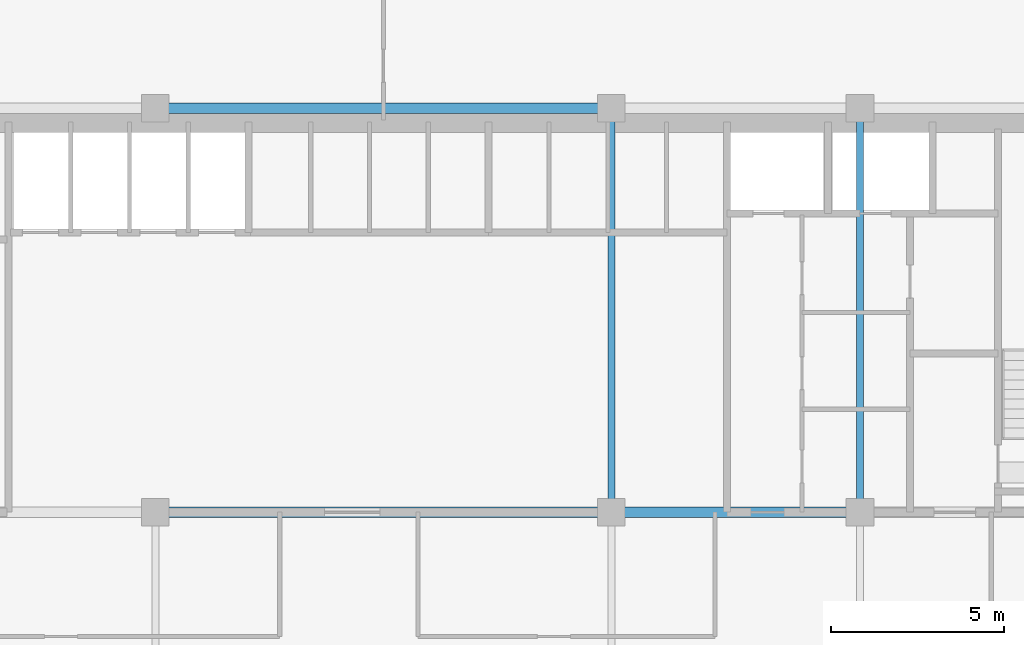
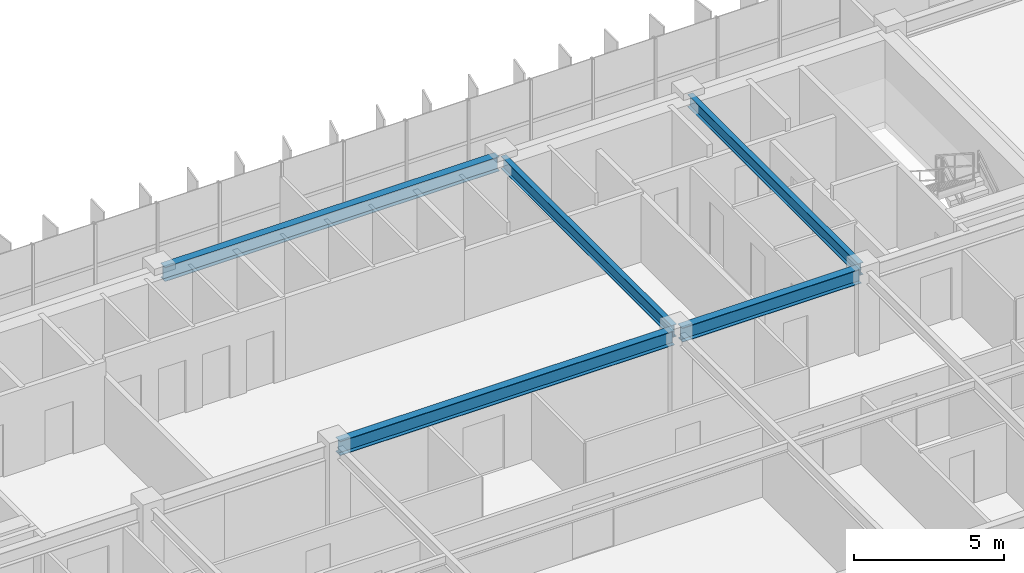
# One storey, part 8 of 22: 5 beams.
"""IFC4 building model written with IfcOpenShell, lengths in metres."""

from ifc_helpers import new_model, si_unit, direction, frame, origin, origin_2d, place, context, subcontext, project, spatial, i_section, extrude, source, transform, mapped, material, material_profile, profile_set, type_object, element, save


model = new_model("IFC4")

# Units and contexts
model_context = context("Model", 3, precision=1e-05, world=origin(), true_north=direction((0.0, 1.0)))
body_context = subcontext(model_context, "Body", "Model", "MODEL_VIEW")
ifc_project = project(units=[si_unit("LENGTHUNIT", "METRE"), si_unit("AREAUNIT", "SQUARE_METRE"), si_unit("VOLUMEUNIT", "CUBIC_METRE"), si_unit("PLANEANGLEUNIT", "RADIAN"), si_unit("MASSUNIT", "GRAM", prefix="KILO")], contexts=[model_context])

# Site, building, storey
site_placement = place(None, origin())
site = spatial("IfcSite", under=ifc_project, at=site_placement, CompositionType="ELEMENT")
building_placement = place(site_placement, origin())
building = spatial("IfcBuilding", under=site, at=building_placement, Name="Trelvane Seafront Commons", CompositionType="ELEMENT")
storey_placement = place(building_placement, frame((0.0, 0.0, 96.10009765625)))
storey = spatial("IfcBuildingStorey", under=building, at=storey_placement, Name="L24", CompositionType="ELEMENT", Elevation=96.10009765625)

# Beams
ifc_material = material(Name="Steel SM355 (S355)", Category="steel")
ifc_material_profile_1 = material_profile(ifc_material, i_section(OverallWidth=0.300048828125, OverallDepth=0.587890625, WebThickness=0.011962890625, FlangeThickness=0.02001953125, at=origin_2d()), Name="H-588x300x12x20")
ifc_profile_set_1 = profile_set([ifc_material_profile_1], Name="Steel SM355 (S355)")
beam_type_1 = type_object("IfcBeamType", Name="STR-BM-H588", PredefinedType="BEAM", material=ifc_profile_set_1)
shared_shape_1 = source(origin(), body_context, "Body", "SweptSolid", [
    extrude(i_section(OverallWidth=0.300048828125, OverallDepth=0.587890625, WebThickness=0.011962890625, FlangeThickness=0.02001953125, at=origin_2d()), origin(), (0.0, 0.0, 1.0), 12.89990234375),
])
for number, where, z_axis, x_axis, name in (
    (1, (30.75, 33.39990234375, 3.0458984375), (1.0, 0.0, 0.0), (0.0, 1.0, 0.0), "L24 Primary Girder G-23"),
    (2, (30.75, 45.10009765625, 3.0458984375), (1.0, 0.0, 0.0), (0.0, 1.0, 0.0), "L24 Primary Girder G-32"),
):
    element("IfcBeam", number, at=place(storey_placement, frame(where, z_axis=z_axis, x_axis=x_axis)), inside=storey, type_object=beam_type_1, Name=name, PredefinedType="BEAM", context=body_context, shape_type="MappedRepresentation", body=[
        mapped(shared_shape_1, transform((0.0, 0.0, 0.0), x_axis=(1.0, 0.0, 0.0), y_axis=(0.0, 1.0, 0.0), z_axis=(0.0, 0.0, 1.0), scale=1.0)),
    ])
shared_shape_2 = source(origin(), body_context, "Body", "SweptSolid", [
    extrude(i_section(OverallWidth=0.300048828125, OverallDepth=0.587890625, WebThickness=0.011962890625, FlangeThickness=0.02001953125, at=origin_2d()), origin(), (0.0, 0.0, 1.0), 6.900146484375),
])
beam_placement = place(storey_placement, frame((43.949951171875, 33.39990234375, 3.0458984375), z_axis=(1.0, 0.0, 0.0), x_axis=(0.0, 1.0, 0.0)))
element("IfcBeam", 3, at=beam_placement, inside=storey, type_object=beam_type_1, Name="L24 Primary Girder G-24", PredefinedType="BEAM", context=body_context, shape_type="MappedRepresentation", body=[
    mapped(shared_shape_2, transform((0.0, 0.0, 0.0), x_axis=(1.0, 0.0, 0.0), y_axis=(0.0, 1.0, 0.0), z_axis=(0.0, 0.0, 1.0), scale=1.0)),
])
ifc_material_profile_2 = material_profile(ifc_material, i_section(OverallWidth=0.199951171875, OverallDepth=0.5, WebThickness=0.010009765625, FlangeThickness=0.01611328125, at=origin_2d()), Name="H-500x200x10x16")
ifc_profile_set_2 = profile_set([ifc_material_profile_2], Name="Steel SM355 (S355)")
beam_type_2 = type_object("IfcBeamType", Name="STR-BM-H500", PredefinedType="BEAM", material=ifc_profile_set_2)
shared_shape_3 = source(origin(), body_context, "Body", "SweptSolid", [
    extrude(i_section(OverallWidth=0.199951171875, OverallDepth=0.5, WebThickness=0.010009765625, FlangeThickness=0.01611328125, at=origin_2d()), origin(), (0.0, 0.0, 1.0), 11.39990234375),
])
for number, where, z_axis, x_axis, name in (
    (4, (43.800048828125, 33.550048828125, 3.08984375), (0.0, 1.0, 0.0), (-1.0, 0.0, 0.0), "L24 Primary Girder G-54"),
    (5, (51.0, 33.550048828125, 3.08984375), (0.0, 1.0, 0.0), (-1.0, 0.0, 0.0), "L24 Primary Girder G-57"),
):
    element("IfcBeam", number, at=place(storey_placement, frame(where, z_axis=z_axis, x_axis=x_axis)), inside=storey, type_object=beam_type_2, Name=name, PredefinedType="BEAM", context=body_context, shape_type="MappedRepresentation", body=[
        mapped(shared_shape_3, transform((0.0, 0.0, 0.0), x_axis=(1.0, 0.0, 0.0), y_axis=(0.0, 1.0, 0.0), z_axis=(0.0, 0.0, 1.0), scale=1.0)),
    ])

save(model, "model.ifc")
